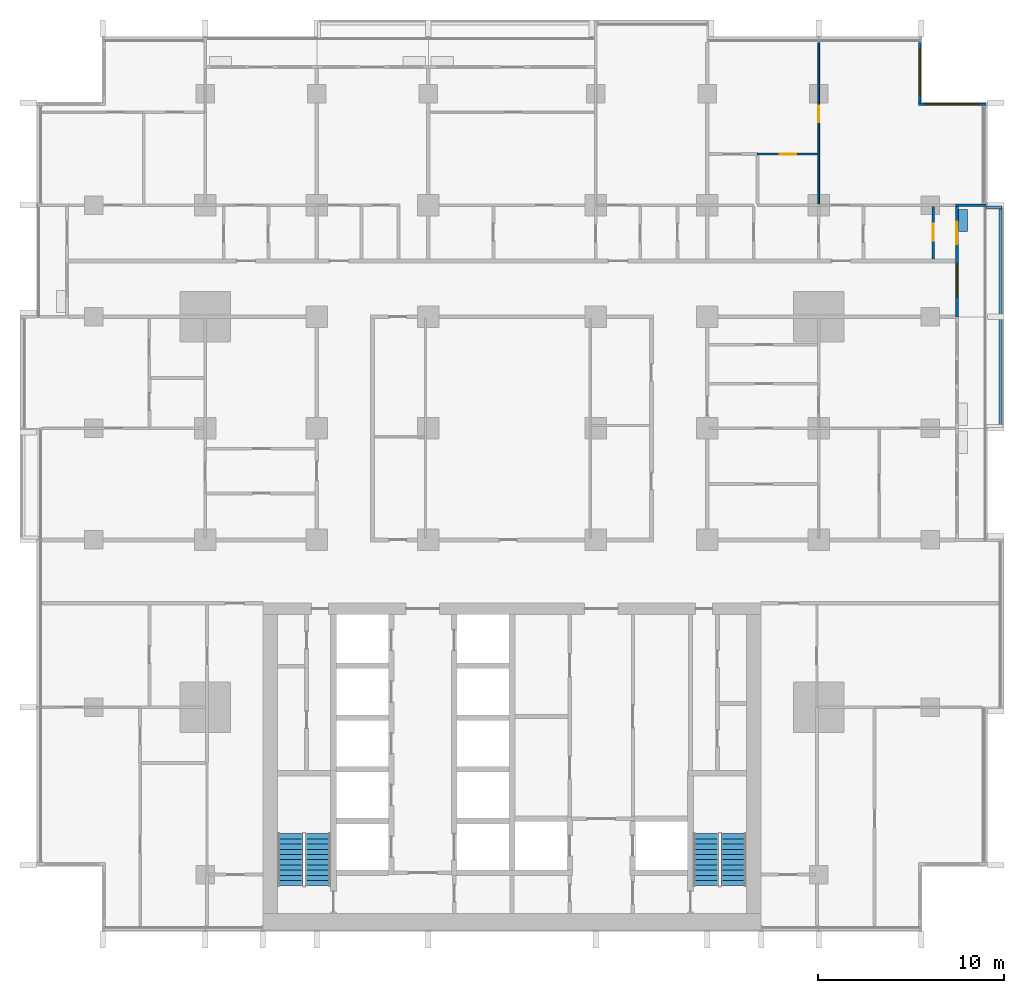
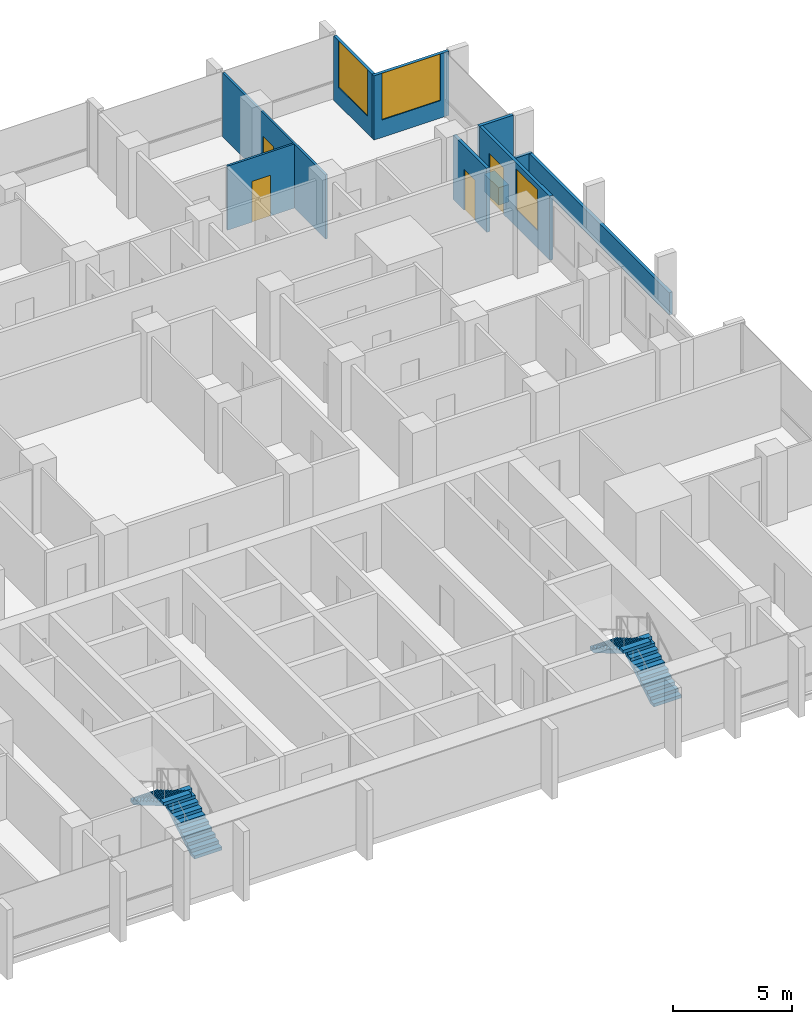
# One storey, part 13 of 18: 10 walls, 4 doors, 4 stair flights, 3 windows, 7 openings, 2 elements without a shape of their own.
"""IFC4 building model written with IfcOpenShell, lengths in metres."""

import ifcopenshell
import ifcopenshell.guid

model = None  # the IFC model being written
_history = None  # IfcOwnerHistory: only IFC2X3 demands one
_inside = {}  # id of a spatial element -> (the spatial element, [elements in it])
_under = {}  # id of a project, library or spatial element -> (it, [spatial elements below it])
_declared = {}  # id of a project -> (the project, [libraries it declares])
_typed = {}  # id of a type object -> (the type object, [elements of that type])
_made_of = {}  # id of a material, layer set ... -> (it, [elements and type objects made of it])


def new_model(schema):
    """Start an empty IFC model of exactly this schema.

    Asked for "IFC4X3", IfcOpenShell would pick the latest addendum, in which some entities
    have other attributes; the version numbers below select the first issue.
    IFC2X3 requires an IfcOwnerHistory on every rooted entity: one is made here for all.
    """
    global model, _history
    if schema == "IFC4X3":
        model = ifcopenshell.file(schema_version=(4, 3, 0, 0))
    else:
        model = ifcopenshell.file(schema=schema)
    _inside.clear()
    _under.clear()
    _declared.clear()
    _typed.clear()
    _made_of.clear()
    _history = None
    if model.schema == "IFC2X3":
        org = make("IfcOrganization", Name="unknown")
        user = make(
            "IfcPersonAndOrganization",
            ThePerson=make("IfcPerson", FamilyName="unknown"),
            TheOrganization=org,
        )
        app = make(
            "IfcApplication",
            ApplicationDeveloper=org,
            Version="unknown",
            ApplicationFullName="unknown",
            ApplicationIdentifier="unknown",
        )
        _history = make(
            "IfcOwnerHistory",
            OwningUser=user,
            OwningApplication=app,
            ChangeAction="ADDED",
            CreationDate=0,
        )
    return model


def make(cls, **values):
    """One entity of the class cls with the attributes given. An attribute that is None is left unset."""
    return model.create_entity(
        cls, **{name: value for name, value in values.items() if value is not None}
    )


def rooted(cls, **values):
    """An entity with a GlobalId (a new one), such as an element, a storey or a relation."""
    return make(cls, GlobalId=ifcopenshell.guid.new(), OwnerHistory=_history, **values)


def si_unit(unit_type, name, prefix=None):
    """IfcSIUnit, for example si_unit("LENGTHUNIT", "METRE", prefix="MILLI")."""
    return make("IfcSIUnit", UnitType=unit_type, Prefix=prefix, Name=name)


def assignment(units):
    """IfcUnitAssignment: the units of a project."""
    return None if units is None else make("IfcUnitAssignment", Units=units)


def point(xyz):
    """IfcCartesianPoint."""
    return None if xyz is None else make("IfcCartesianPoint", Coordinates=xyz)


def direction(xyz):
    """IfcDirection."""
    return None if xyz is None else make("IfcDirection", DirectionRatios=xyz)


def frame(location, z_axis=None, x_axis=None):
    """IfcAxis2Placement3D, a coordinate frame: its origin and axes. An axis left out is left unset."""
    return make(
        "IfcAxis2Placement3D",
        Location=point(location),
        Axis=direction(z_axis),
        RefDirection=direction(x_axis),
    )


def frame_2d(location, x_axis=None):
    """IfcAxis2Placement2D, a coordinate frame in the plane: its origin and x axis."""
    return make(
        "IfcAxis2Placement2D", Location=point(location), RefDirection=direction(x_axis)
    )


def origin():
    """The frame at (0, 0, 0) with its axes left unset."""
    return frame((0.0, 0.0, 0.0))


def place(relative_to, where):
    """IfcLocalPlacement: puts the frame where relative to a parent placement (None: the world)."""
    return make(
        "IfcLocalPlacement", PlacementRelTo=relative_to, RelativePlacement=where
    )


def context(
    kind, dimensions, precision=None, world=None, true_north=None, identifier=None
):
    """IfcGeometricRepresentationContext, for example the 3D "Model" context."""
    return make(
        "IfcGeometricRepresentationContext",
        ContextIdentifier=identifier,
        ContextType=kind,
        CoordinateSpaceDimension=dimensions,
        Precision=precision,
        WorldCoordinateSystem=world,
        TrueNorth=true_north,
    )


def subcontext(parent, identifier, kind, view, scale=None):
    """IfcGeometricRepresentationSubContext, for example "Body" below "Model"."""
    return make(
        "IfcGeometricRepresentationSubContext",
        ContextIdentifier=identifier,
        ContextType=kind,
        ParentContext=parent,
        TargetScale=scale,
        TargetView=view,
    )


def project(units=None, contexts=None):
    """IfcProject with its units and contexts."""
    return rooted(
        "IfcProject",
        Name="project",
        RepresentationContexts=contexts,
        UnitsInContext=assignment(units),
    )


def spatial(cls, under=None, at=None, **own):
    """A site, building, storey or space (cls), placed at a placement, below another one or the project."""
    s = rooted(cls, ObjectPlacement=at, **own)
    if under is not None:
        _under.setdefault(under.id(), (under, []))[1].append(s)
    return s


def polyline(points):
    """IfcPolyline through the points."""
    return make("IfcPolyline", Points=[point(p) for p in points])


def profile(cls, at=None, kind="AREA", **sizes):
    """A parametric profile (cls). Its sizes go by their IFC names, for example OverallWidth=200.0."""
    return make(cls, ProfileType=kind, Position=at, **sizes)


def rectangle(**sizes):
    """IfcRectangleProfileDef."""
    return profile("IfcRectangleProfileDef", **sizes)


def outline(outer, holes=None, kind="AREA"):
    """IfcArbitraryClosedProfileDef: a profile drawn as a closed curve; with holes, ...WithVoids."""
    if holes is None:
        return make("IfcArbitraryClosedProfileDef", ProfileType=kind, OuterCurve=outer)
    return make(
        "IfcArbitraryProfileDefWithVoids",
        ProfileType=kind,
        OuterCurve=outer,
        InnerCurves=holes,
    )


def extrude(swept, where, along, depth):
    """IfcExtrudedAreaSolid: the profile swept, set in the frame where, extruded along a direction by depth."""
    return make(
        "IfcExtrudedAreaSolid",
        SweptArea=swept,
        Position=where,
        ExtrudedDirection=direction(along),
        Depth=depth,
    )


def shape(context_of_items, identifier, shape_type, items):
    """IfcShapeRepresentation: the items that make up one representation, for example the "Body"."""
    return make(
        "IfcShapeRepresentation",
        ContextOfItems=context_of_items,
        RepresentationIdentifier=identifier,
        RepresentationType=shape_type,
        Items=items,
    )


def material(Name=None, Category=None):
    """IfcMaterial."""
    return make("IfcMaterial", Name=Name, Category=Category)


def layer(
    of_material, thickness, ventilated=None, Name=None, Category=None, Priority=None
):
    """IfcMaterialLayer: one layer of a wall or slab, of a material (None: an air gap)."""
    return make(
        "IfcMaterialLayer",
        Material=of_material,
        LayerThickness=thickness,
        IsVentilated=ventilated,
        Name=Name,
        Category=Category,
        Priority=Priority,
    )


def layer_set(layers, Name=None):
    """IfcMaterialLayerSet."""
    return make("IfcMaterialLayerSet", MaterialLayers=layers, LayerSetName=Name)


def made_of(thing, what):
    """Note that an element or type object is made of a material, layer set ...; save() writes the relation."""
    if what is not None:
        _made_of.setdefault(what.id(), (what, []))[1].append(thing)
    return thing


def type_object(cls, material=None, **own):
    """A type object (cls), such as IfcWallType, which elements share."""
    return made_of(rooted(cls, **own), material)


def element(
    cls,
    number,
    at=None,
    inside=None,
    cuts=None,
    type_object=None,
    material=None,
    context=None,
    identifier="Body",
    shape_type=None,
    held_by="IfcProductDefinitionShape",
    body=None,
    shapes=None,
    **own,
):
    """One element of the class cls, such as IfcWall. Its Tag is "e" and its number.

    at: its placement. inside: the storey or other place that contains it. cuts: it is an
    opening in that element (IfcRelVoidsElement). A single representation is given by context,
    identifier, shape_type and body (its items); several are given by shapes. held_by: the class
    of the entity that holds the representations. save() writes the other relations.
    """
    e = rooted(cls, Tag="e%d" % number, ObjectPlacement=at, **own)
    if body is not None:
        shapes = [shape(context, identifier, shape_type, body)]
    if shapes is not None:
        e.Representation = make(held_by, Representations=shapes)
    if inside is not None:
        _inside.setdefault(inside.id(), (inside, []))[1].append(e)
    if cuts is not None:
        rooted(
            "IfcRelVoidsElement", RelatingBuildingElement=cuts, RelatedOpeningElement=e
        )
    if type_object is not None:
        _typed.setdefault(type_object.id(), (type_object, []))[1].append(e)
    return made_of(e, material)


def fill(opening, filler):
    """IfcRelFillsElement: the door or window that sits in an opening."""
    return rooted(
        "IfcRelFillsElement",
        RelatingOpeningElement=opening,
        RelatedBuildingElement=filler,
    )


def aggregate(whole, parts):
    """IfcRelAggregates: a whole, such as a stair, and the parts it consists of."""
    return rooted("IfcRelAggregates", RelatingObject=whole, RelatedObjects=parts)


def save(model, path):
    """Write the relations noted so far, then the file.

    IfcRelAggregates (storeys below a building ...), IfcRelContainedInSpatialStructure (elements
    in a storey), IfcRelDefinesByType, IfcRelAssociatesMaterial and IfcRelDeclares: one each for
    every whole, place, type object, material and project.
    """
    for whole, parts in _under.values():
        aggregate(whole, parts)
    for where, things in _inside.values():
        rooted(
            "IfcRelContainedInSpatialStructure",
            RelatedElements=things,
            RelatingStructure=where,
        )
    for kind, things in _typed.values():
        rooted("IfcRelDefinesByType", RelatedObjects=things, RelatingType=kind)
    for what, things in _made_of.values():
        rooted("IfcRelAssociatesMaterial", RelatedObjects=things, RelatingMaterial=what)
    for by, libraries in _declared.values():
        rooted("IfcRelDeclares", RelatingContext=by, RelatedDefinitions=libraries)
    model.write(path)


model = new_model("IFC4")

# Units and contexts
model_context = context("Model", 3, precision=1e-05, world=origin(), true_north=direction((0.0, 1.0)))
body_context = subcontext(model_context, "Body", "Model", "MODEL_VIEW")
ifc_project = project(units=[si_unit("LENGTHUNIT", "METRE"), si_unit("AREAUNIT", "SQUARE_METRE"), si_unit("VOLUMEUNIT", "CUBIC_METRE"), si_unit("PLANEANGLEUNIT", "RADIAN"), si_unit("MASSUNIT", "GRAM", prefix="KILO")], contexts=[model_context])

# Site, building, storey
site_placement = place(None, origin())
site = spatial("IfcSite", under=ifc_project, at=site_placement, CompositionType="ELEMENT")
building_placement = place(site_placement, origin())
building = spatial("IfcBuilding", under=site, at=building_placement, Name="Finial Court Residences", CompositionType="ELEMENT")
storey_placement = place(building_placement, frame((0.0, 0.0, 109.89990234375)))
storey = spatial("IfcBuildingStorey", under=building, at=storey_placement, Name="L27", CompositionType="ELEMENT", Elevation=109.89990234375)

# Wall, opening, door
ifc_material_1 = material(Name="Gypsum board")
ifc_layer_1 = layer(ifc_material_1, 0.012451171875)
ifc_material_2 = material(Name="Mineral wool in light-gauge frame")
ifc_layer_2 = layer(ifc_material_2, 0.074951171875)
ifc_layer_3 = layer(ifc_material_1, 0.012451171875)
ifc_layer_set_1 = layer_set([ifc_layer_1, ifc_layer_2, ifc_layer_3], Name="Gypsum board partition 100")
wall_type_1 = type_object("IfcWallType", Name="Gypsum board partition 100", PredefinedType="PARTITIONING", material=ifc_layer_set_1)
wall_1_placement = place(storey_placement, frame((13.199951171875, 16.25, 0.0), z_axis=(0.0, 0.0, 1.0), x_axis=(1.0, 0.0, 0.0)))
wall_1 = element("IfcWall", 1, at=wall_1_placement, inside=storey, type_object=wall_type_1, Name="Partition L27-039", PredefinedType="PARTITIONING", context=body_context, shape_type="SweptSolid", body=[
    extrude(rectangle(XDim=3.25, YDim=0.10009765625, at=frame_2d((1.625, 0.0))), origin(), (0.0, 0.0, 1.0), 3.300048828125),
])
opening_1_placement = place(wall_1_placement, frame((1.199951171875, 0.0, 0.0)))
opening_1 = element("IfcOpeningElement", 2, at=opening_1_placement, cuts=wall_1, Name="Opening L27-D029", PredefinedType="OPENING", context=body_context, shape_type="SweptSolid", body=[
    extrude(rectangle(XDim=0.89990234375, YDim=2.10009765625, at=frame_2d((0.449951171875, 1.050048828125))), frame((0.0, 0.06005859375, 0.0), z_axis=(0.0, -1.0, 0.0), x_axis=(1.0, 0.0, 0.0)), (0.0, 0.0, 1.0), 0.1201171875),
])
ifc_material_3 = material(Name="Timber door leaf in timber frame", Category="wood")
door_type_1 = type_object("IfcDoorType", Name="Door set 900 x 2100", OperationType="SINGLE_SWING_LEFT", PredefinedType="DOOR", material=ifc_material_3)
door_1_placement = place(opening_1_placement, origin())
door_1 = element("IfcDoor", 3, at=door_1_placement, inside=storey, type_object=door_type_1, Name="Door L27-D029", OperationType="SINGLE_SWING_RIGHT", OverallHeight=2.10009765625, OverallWidth=0.89990234375, PredefinedType="DOOR", context=body_context, shape_type="SweptSolid", body=[
    extrude(rectangle(XDim=0.89990234375, YDim=2.10009765625, at=frame_2d((0.449951171875, 1.050048828125))), frame((0.0, 0.02490234375, 0.0), z_axis=(0.0, -1.0, 0.0), x_axis=(1.0, 0.0, 0.0)), (0.0, 0.0, 1.0), 0.050048828125),
])
fill(opening_1, door_1)

wall_2_placement = place(storey_placement, frame((16.5, 13.574951171875, 0.0), z_axis=(0.0, 0.0, 1.0), x_axis=(0.0, 1.0, 0.0)))
wall_2 = element("IfcWall", 4, at=wall_2_placement, inside=storey, type_object=wall_type_1, Name="Partition L27-084", PredefinedType="PARTITIONING", context=body_context, shape_type="SweptSolid", body=[
    extrude(rectangle(XDim=8.675048828125, YDim=0.10009765625, at=frame_2d((4.33740234375, 0.0))), origin(), (0.0, 0.0, 1.0), 3.300048828125),
])
opening_2_placement = place(wall_2_placement, frame((4.375, 0.0, 0.0)))
opening_2 = element("IfcOpeningElement", 5, at=opening_2_placement, cuts=wall_2, Name="Opening L27-D054", PredefinedType="OPENING", context=body_context, shape_type="SweptSolid", body=[
    extrude(rectangle(XDim=0.89990234375, YDim=2.10009765625, at=frame_2d((0.449951171875, 1.050048828125))), frame((0.0, 0.06005859375, 0.0), z_axis=(0.0, -1.0, 0.0), x_axis=(1.0, 0.0, 0.0)), (0.0, 0.0, 1.0), 0.1201171875),
])
door_2_placement = place(opening_2_placement, origin())
door_2 = element("IfcDoor", 6, at=door_2_placement, inside=storey, type_object=door_type_1, Name="Door L27-D054", OperationType="SINGLE_SWING_LEFT", OverallHeight=2.10009765625, OverallWidth=0.89990234375, PredefinedType="DOOR", context=body_context, shape_type="SweptSolid", body=[
    extrude(rectangle(XDim=0.89990234375, YDim=2.10009765625, at=frame_2d((0.449951171875, 1.050048828125))), frame((0.0, 0.02490234375, 0.0), z_axis=(0.0, -1.0, 0.0), x_axis=(1.0, 0.0, 0.0)), (0.0, 0.0, 1.0), 0.050048828125),
])
fill(opening_2, door_2)

ifc_material_4 = material(Name="Moisture-resistant gypsum board")
ifc_layer_4 = layer(ifc_material_4, 0.012451171875)
ifc_layer_5 = layer(ifc_material_2, 0.125)
ifc_layer_6 = layer(ifc_material_4, 0.012451171875)
ifc_layer_set_2 = layer_set([ifc_layer_4, ifc_layer_5, ifc_layer_6], Name="Gypsum board wet-area partition 150")
wall_type_2 = type_object("IfcWallType", Name="Gypsum board wet-area partition 150", PredefinedType="PARTITIONING", material=ifc_layer_set_2)
wall_3_placement = place(storey_placement, frame((22.64990234375, 10.60009765625, 0.0), z_axis=(0.0, 0.0, 1.0), x_axis=(0.0, 1.0, 0.0)))
wall_3 = element("IfcWall", 7, at=wall_3_placement, inside=storey, type_object=wall_type_2, Name="Partition L27-091", PredefinedType="PARTITIONING", context=body_context, shape_type="SweptSolid", body=[
    extrude(rectangle(XDim=2.824951171875, YDim=0.14990234375, at=frame_2d((1.41259765625, 0.0))), origin(), (0.0, 0.0, 1.0), 3.300048828125),
])
opening_3_placement = place(wall_3_placement, frame((1.0, 0.0, 0.0)))
opening_3 = element("IfcOpeningElement", 8, at=opening_3_placement, cuts=wall_3, Name="Opening L27-D059", PredefinedType="OPENING", context=body_context, shape_type="SweptSolid", body=[
    extrude(rectangle(XDim=0.89990234375, YDim=2.10009765625, at=frame_2d((0.449951171875, 1.050048828125))), frame((0.0, 0.0849609375, 0.0), z_axis=(0.0, -1.0, 0.0), x_axis=(1.0, 0.0, 0.0)), (0.0, 0.0, 1.0), 0.169921875),
])
door_3_placement = place(opening_3_placement, origin())
door_3 = element("IfcDoor", 9, at=door_3_placement, inside=storey, type_object=door_type_1, Name="Door L27-D059", OperationType="SINGLE_SWING_LEFT", OverallHeight=2.10009765625, OverallWidth=0.89990234375, PredefinedType="DOOR", context=body_context, shape_type="SweptSolid", body=[
    extrude(rectangle(XDim=0.89990234375, YDim=2.10009765625, at=frame_2d((0.449951171875, 1.050048828125))), frame((0.0, 0.02490234375, 0.0), z_axis=(0.0, -1.0, 0.0), x_axis=(1.0, 0.0, 0.0)), (0.0, 0.0, 1.0), 0.050048828125),
])
fill(opening_3, door_3)

# Walls
ifc_material_5 = material(Name="Concrete C35/45", Category="concrete")
ifc_layer_7 = layer(ifc_material_5, 0.14990234375)
ifc_layer_set_3 = layer_set([ifc_layer_7], Name="Ledge parapet, Concrete C35/45 150")
wall_type_3 = type_object("IfcWallType", Name="Ledge parapet, Concrete C35/45 150", PredefinedType="PARAPET", material=ifc_layer_set_3)
wall_4_placement = place(storey_placement, frame((25.510009765625, 13.375, 0.0), z_axis=(0.0, 0.0, 1.0), x_axis=(1.0, 0.0, 0.0)))
element("IfcWall", 10, at=wall_4_placement, inside=storey, type_object=wall_type_3, Name="E-L27-LED2-P2", PredefinedType="PARAPET", context=body_context, shape_type="SweptSolid", body=[
    extrude(rectangle(XDim=0.840087890625, YDim=0.14990234375, at=frame_2d((0.419921875, 0.0))), origin(), (0.0, 0.0, 1.0), 1.150146484375),
])
wall_5_placement = place(storey_placement, frame((26.27490234375, 13.300048828125, 0.0), z_axis=(0.0, 0.0, 1.0), x_axis=(0.0, -1.0, 0.0)))
element("IfcWall", 11, at=wall_5_placement, inside=storey, type_object=wall_type_3, Name="E-L27-LED2-P3", PredefinedType="PARAPET", context=body_context, shape_type="SweptSolid", body=[
    extrude(rectangle(XDim=11.800048828125, YDim=0.14990234375, at=frame_2d((5.89990234375, 0.0))), origin(), (0.0, 0.0, 1.0), 1.150146484375),
])

# Wall, opening, window
ifc_material_6 = material(Name="Natural limestone", Category="masonry")
ifc_layer_8 = layer(ifc_material_6, 0.14990234375)
ifc_layer_set_4 = layer_set([ifc_layer_8], Name="Limestone clad wall 150")
wall_type_4 = type_object("IfcWallType", Name="Limestone clad wall 150", PredefinedType="SOLIDWALL", material=ifc_layer_set_4)
wall_6_placement = place(storey_placement, frame((21.925048828125, 22.25, 0.0), z_axis=(0.0, 0.0, 1.0), x_axis=(0.0, -1.0, 0.0)))
wall_6 = element("IfcWall", 12, at=wall_6_placement, inside=storey, type_object=wall_type_4, Name="E-L27-NWE18", PredefinedType="SOLIDWALL", context=body_context, shape_type="SweptSolid", body=[
    extrude(rectangle(XDim=3.25, YDim=0.14990234375, at=frame_2d((1.625, 0.0))), origin(), (0.0, 0.0, 1.0), 3.300048828125),
])
opening_4_placement = place(wall_6_placement, frame((0.39990234375, 0.0, 0.89990234375)))
opening_4 = element("IfcOpeningElement", 13, at=opening_4_placement, cuts=wall_6, Name="Opening WE27-07", PredefinedType="OPENING", context=body_context, shape_type="SweptSolid", body=[
    extrude(rectangle(XDim=2.449951171875, YDim=2.39990234375, at=frame_2d((1.22509765625, 1.199951171875))), frame((0.0, 0.0849609375, 0.0), z_axis=(0.0, -1.0, 0.0), x_axis=(1.0, 0.0, 0.0)), (0.0, 0.0, 1.0), 0.169921875),
])
ifc_material_7 = material(Name="Clear low-e glass", Category="glass")
window_type_1 = type_object("IfcWindowType", Name="Corner window 2450 x 2400", PartitioningType="SINGLE_PANEL", PredefinedType="WINDOW", material=ifc_material_7)
window_1_placement = place(opening_4_placement, origin())
window_1 = element("IfcWindow", 14, at=window_1_placement, inside=storey, type_object=window_type_1, Name="E-L27-NWE18-W1", OverallHeight=2.39990234375, OverallWidth=2.449951171875, PartitioningType="SINGLE_PANEL", PredefinedType="WINDOW", context=body_context, shape_type="SweptSolid", body=[
    extrude(rectangle(XDim=2.449951171875, YDim=2.39990234375, at=frame_2d((1.22509765625, 1.199951171875))), frame((0.0, 0.030029296875, 0.0), z_axis=(0.0, -1.0, 0.0), x_axis=(1.0, 0.0, 0.0)), (0.0, 0.0, 1.0), 0.06005859375),
])
fill(opening_4, window_1)

wall_7_placement = place(storey_placement, frame((21.85009765625, 18.925048828125, 0.0), z_axis=(0.0, 0.0, 1.0), x_axis=(1.0, 0.0, 0.0)))
wall_7 = element("IfcWall", 15, at=wall_7_placement, inside=storey, type_object=wall_type_4, Name="E-L27-NWN19", PredefinedType="SOLIDWALL", context=body_context, shape_type="SweptSolid", body=[
    extrude(rectangle(XDim=3.64990234375, YDim=0.14990234375, at=frame_2d((1.824951171875, 0.0))), origin(), (0.0, 0.0, 1.0), 3.300048828125),
])
opening_5_placement = place(wall_7_placement, frame((0.39990234375, 0.0, 0.89990234375)))
opening_5 = element("IfcOpeningElement", 16, at=opening_5_placement, cuts=wall_7, Name="Opening WE27-08", PredefinedType="OPENING", context=body_context, shape_type="SweptSolid", body=[
    extrude(rectangle(XDim=2.85009765625, YDim=2.39990234375, at=frame_2d((1.425048828125, 1.199951171875))), frame((0.0, 0.0849609375, 0.0), z_axis=(0.0, -1.0, 0.0), x_axis=(1.0, 0.0, 0.0)), (0.0, 0.0, 1.0), 0.169921875),
])
window_type_2 = type_object("IfcWindowType", Name="Corner window 2850 x 2400", PartitioningType="SINGLE_PANEL", PredefinedType="WINDOW", material=ifc_material_7)
window_2_placement = place(opening_5_placement, origin())
window_2 = element("IfcWindow", 17, at=window_2_placement, inside=storey, type_object=window_type_2, Name="E-L27-NWN19-W1", OverallHeight=2.39990234375, OverallWidth=2.85009765625, PartitioningType="SINGLE_PANEL", PredefinedType="WINDOW", context=body_context, shape_type="SweptSolid", body=[
    extrude(rectangle(XDim=2.85009765625, YDim=2.39990234375, at=frame_2d((1.425048828125, 1.199951171875))), frame((0.0, 0.030029296875, 0.0), z_axis=(0.0, -1.0, 0.0), x_axis=(1.0, 0.0, 0.0)), (0.0, 0.0, 1.0), 0.06005859375),
])
fill(opening_5, window_2)

# Wall
wall_8_placement = place(storey_placement, frame((23.85009765625, 13.5, 0.0), z_axis=(0.0, 0.0, 1.0), x_axis=(1.0, 0.0, 0.0)))
element("IfcWall", 18, at=wall_8_placement, inside=storey, type_object=wall_type_4, Name="E-L27-BALE5-P2", PredefinedType="SOLIDWALL", context=body_context, shape_type="SweptSolid", body=[
    extrude(rectangle(XDim=1.64990234375, YDim=0.14990234375, at=frame_2d((0.824951171875, 0.0))), origin(), (0.0, 0.0, 1.0), 3.300048828125),
])

# Wall, openings, door, window
wall_9_placement = place(storey_placement, frame((23.925048828125, 13.425048828125, 0.0), z_axis=(0.0, 0.0, 1.0), x_axis=(0.0, -1.0, 0.0)))
wall_9 = element("IfcWall", 19, at=wall_9_placement, inside=storey, type_object=wall_type_4, Name="E-L27-L27-BALE5-W", PredefinedType="SOLIDWALL", context=body_context, shape_type="SweptSolid", body=[
    extrude(rectangle(XDim=5.925048828125, YDim=0.14990234375, at=frame_2d((2.96240234375, 0.0))), origin(), (0.0, 0.0, 1.0), 3.300048828125),
])
opening_6_placement = place(wall_9_placement, frame((0.824951171875, 0.0, 0.0)))
opening_6 = element("IfcOpeningElement", 20, at=opening_6_placement, cuts=wall_9, Name="Opening DE27-06", PredefinedType="OPENING", context=body_context, shape_type="SweptSolid", body=[
    extrude(rectangle(XDim=1.199951171875, YDim=2.39990234375, at=frame_2d((0.60009765625, 1.199951171875))), frame((0.0, 0.0849609375, 0.0), z_axis=(0.0, -1.0, 0.0), x_axis=(1.0, 0.0, 0.0)), (0.0, 0.0, 1.0), 0.169921875),
])
opening_7_placement = place(wall_9_placement, frame((3.074951171875, 0.0, 0.89990234375)))
opening_7 = element("IfcOpeningElement", 21, at=opening_7_placement, cuts=wall_9, Name="Opening WE27-19", PredefinedType="OPENING", context=body_context, shape_type="SweptSolid", body=[
    extrude(rectangle(XDim=1.800048828125, YDim=2.10009765625, at=frame_2d((0.89990234375, 1.050048828125))), frame((0.0, 0.0849609375, 0.0), z_axis=(0.0, -1.0, 0.0), x_axis=(1.0, 0.0, 0.0)), (0.0, 0.0, 1.0), 0.169921875),
])
ifc_material_8 = material(Name="Bronze anodised aluminium", Category="aluminium")
door_type_2 = type_object("IfcDoorType", Name="Balcony door 1200 x 2400", OperationType="SINGLE_SWING_LEFT", PredefinedType="DOOR", material=ifc_material_8)
door_4_placement = place(opening_6_placement, origin())
door_4 = element("IfcDoor", 22, at=door_4_placement, inside=storey, type_object=door_type_2, Name="E-L27-L27-BALE5-W-D", OperationType="SINGLE_SWING_RIGHT", OverallHeight=2.39990234375, OverallWidth=1.199951171875, PredefinedType="DOOR", context=body_context, shape_type="SweptSolid", body=[
    extrude(rectangle(XDim=1.199951171875, YDim=2.39990234375, at=frame_2d((0.60009765625, 1.199951171875))), frame((0.0, 0.02490234375, 0.0), z_axis=(0.0, -1.0, 0.0), x_axis=(1.0, 0.0, 0.0)), (0.0, 0.0, 1.0), 0.050048828125),
])
fill(opening_6, door_4)
window_type_3 = type_object("IfcWindowType", Name="Balcony window 1800 x 2100", PartitioningType="SINGLE_PANEL", PredefinedType="WINDOW", material=ifc_material_7)
window_3_placement = place(opening_7_placement, origin())
window_3 = element("IfcWindow", 23, at=window_3_placement, inside=storey, type_object=window_type_3, Name="E-L27-L27-BALE5-W-W1", OverallHeight=2.10009765625, OverallWidth=1.800048828125, PartitioningType="SINGLE_PANEL", PredefinedType="WINDOW", context=body_context, shape_type="SweptSolid", body=[
    extrude(rectangle(XDim=1.800048828125, YDim=2.10009765625, at=frame_2d((0.89990234375, 1.050048828125))), frame((0.0, 0.030029296875, 0.0), z_axis=(0.0, -1.0, 0.0), x_axis=(1.0, 0.0, 0.0)), (0.0, 0.0, 1.0), 0.06005859375),
])
fill(opening_7, window_3)

# Wall
ifc_material_9 = material(Name="Concrete C40/50", Category="concrete")
ifc_layer_9 = layer(ifc_material_9, 0.10009765625)
ifc_material_10 = material(Name="Planting soil", Category="soil")
ifc_layer_10 = layer(ifc_material_10, 0.300048828125)
ifc_layer_11 = layer(ifc_material_9, 0.10009765625)
ifc_layer_set_5 = layer_set([ifc_layer_9, ifc_layer_10, ifc_layer_11], Name="Planter wall, balcony")
wall_type_5 = type_object("IfcWallType", Name="Planter wall, balcony", PredefinedType="USERDEFINED", material=ifc_layer_set_5)
wall_10_placement = place(storey_placement, frame((24.25, 12.074951171875, 0.0), z_axis=(0.0, 0.0, 1.0), x_axis=(0.0, 1.0, 0.0)))
element("IfcWall", 24, at=wall_10_placement, inside=storey, type_object=wall_type_5, Name="E-L27-BALE5-PL", ObjectType="PLANTER", PredefinedType="USERDEFINED", context=body_context, shape_type="SweptSolid", body=[
    extrude(rectangle(XDim=1.199951171875, YDim=0.5, at=frame_2d((0.60009765625, 0.0))), origin(), (0.0, 0.0, 1.0), 0.900146484375),
])

# Stair, stair flights
ifc_material_11 = material(Name="Concrete C50/60", Category="concrete")
stair_type = type_object("IfcStairType", Name="Exit stair 22 risers of 163.6 mm", PredefinedType="HALF_TURN_STAIR", material=ifc_material_11)
stair_1_placement = place(storey_placement, origin())
stair_1 = element("IfcStair", 25, at=stair_1_placement, inside=storey, type_object=stair_type, Name="L27 Exit stair ST-1", PredefinedType="HALF_TURN_STAIR")
stair_flight_type = type_object("IfcStairFlightType", Name="Exit stair flight", PredefinedType="STRAIGHT", material=ifc_material_11)
stair_flight_1_placement = place(storey_placement, frame((-10.425048828125, -23.10009765625, 0.0), z_axis=(0.0, 0.0, 1.0), x_axis=(0.0, 1.0, 0.0)))
stair_flight_1 = element("IfcStairFlight", 26, at=stair_flight_1_placement, type_object=stair_flight_type, Name="ST-1 flight 1", NumberOfRisers=11, NumberOfTreads=10, PredefinedType="STRAIGHT", RiserHeight=0.163636364, TreadLength=0.28, context=body_context, shape_type="SweptSolid", body=[
    extrude(outline(polyline([(0.0, 0.0), (0.0, 0.16357421875), (0.280029296875, 0.16357421875), (0.280029296875, 0.327392578125), (0.56005859375, 0.327392578125), (0.56005859375, 0.490966796875), (0.840087890625, 0.490966796875), (0.840087890625, 0.654541015625), (1.1201171875, 0.654541015625), (1.1201171875, 0.818115234375), (1.39990234375, 0.818115234375), (1.39990234375, 0.98193359375), (1.679931640625, 0.98193359375), (1.679931640625, 1.1455078125), (1.9599609375, 1.1455078125), (1.9599609375, 1.30908203125), (2.239990234375, 1.30908203125), (2.239990234375, 1.47265625), (2.52001953125, 1.47265625), (2.52001953125, 1.636474609375), (2.800048828125, 1.636474609375), (2.800048828125, 1.800048828125), (2.800048828125, 1.462646484375), (0.297119140625, 0.0), (0.0, 0.0)])), frame((0.0, 0.675048828125, 0.0), z_axis=(0.0, -1.0, 0.0), x_axis=(1.0, 0.0, 0.0)), (0.0, 0.0, 1.0), 1.35009765625),
])
stair_flight_2_placement = place(storey_placement, frame((-11.925048828125, -20.300048828125, 1.800048828125), z_axis=(0.0, 0.0, 1.0), x_axis=(0.0, -1.0, 0.0)))
stair_flight_2 = element("IfcStairFlight", 27, at=stair_flight_2_placement, type_object=stair_flight_type, Name="ST-1 flight 2", NumberOfRisers=11, NumberOfTreads=10, PredefinedType="STRAIGHT", RiserHeight=0.163636364, TreadLength=0.28, context=body_context, shape_type="SweptSolid", body=[
    extrude(outline(polyline([(0.0, 0.0), (0.0, 0.16357421875), (0.280029296875, 0.16357421875), (0.280029296875, 0.327392578125), (0.56005859375, 0.327392578125), (0.56005859375, 0.490966796875), (0.840087890625, 0.490966796875), (0.840087890625, 0.654541015625), (1.1201171875, 0.654541015625), (1.1201171875, 0.818115234375), (1.39990234375, 0.818115234375), (1.39990234375, 0.98193359375), (1.679931640625, 0.98193359375), (1.679931640625, 1.1455078125), (1.9599609375, 1.1455078125), (1.9599609375, 1.30908203125), (2.239990234375, 1.30908203125), (2.239990234375, 1.47265625), (2.52001953125, 1.47265625), (2.52001953125, 1.636474609375), (2.800048828125, 1.636474609375), (2.800048828125, 1.800048828125), (2.800048828125, 1.462646484375), (0.297119140625, 0.0), (0.0, 0.0)])), frame((0.0, 0.675048828125, 0.0), z_axis=(0.0, -1.0, 0.0), x_axis=(1.0, 0.0, 0.0)), (0.0, 0.0, 1.0), 1.35009765625),
])
aggregate(stair_1, [stair_flight_1, stair_flight_2])

stair_2_placement = place(storey_placement, origin())
stair_2 = element("IfcStair", 28, at=stair_2_placement, inside=storey, type_object=stair_type, Name="L27 Exit stair ST-2", PredefinedType="HALF_TURN_STAIR")
stair_flight_3_placement = place(storey_placement, frame((11.925048828125, -23.10009765625, 0.0), z_axis=(0.0, 0.0, 1.0), x_axis=(0.0, 1.0, 0.0)))
stair_flight_3 = element("IfcStairFlight", 29, at=stair_flight_3_placement, type_object=stair_flight_type, Name="ST-2 flight 1", NumberOfRisers=11, NumberOfTreads=10, PredefinedType="STRAIGHT", RiserHeight=0.163636364, TreadLength=0.28, context=body_context, shape_type="SweptSolid", body=[
    extrude(outline(polyline([(0.0, 0.0), (0.0, 0.16357421875), (0.280029296875, 0.16357421875), (0.280029296875, 0.327392578125), (0.56005859375, 0.327392578125), (0.56005859375, 0.490966796875), (0.840087890625, 0.490966796875), (0.840087890625, 0.654541015625), (1.1201171875, 0.654541015625), (1.1201171875, 0.818115234375), (1.39990234375, 0.818115234375), (1.39990234375, 0.98193359375), (1.679931640625, 0.98193359375), (1.679931640625, 1.1455078125), (1.9599609375, 1.1455078125), (1.9599609375, 1.30908203125), (2.239990234375, 1.30908203125), (2.239990234375, 1.47265625), (2.52001953125, 1.47265625), (2.52001953125, 1.636474609375), (2.800048828125, 1.636474609375), (2.800048828125, 1.800048828125), (2.800048828125, 1.462646484375), (0.297119140625, 0.0), (0.0, 0.0)])), frame((0.0, 0.675048828125, 0.0), z_axis=(0.0, -1.0, 0.0), x_axis=(1.0, 0.0, 0.0)), (0.0, 0.0, 1.0), 1.35009765625),
])
stair_flight_4_placement = place(storey_placement, frame((10.425048828125, -20.300048828125, 1.800048828125), z_axis=(0.0, 0.0, 1.0), x_axis=(0.0, -1.0, 0.0)))
stair_flight_4 = element("IfcStairFlight", 30, at=stair_flight_4_placement, type_object=stair_flight_type, Name="ST-2 flight 2", NumberOfRisers=11, NumberOfTreads=10, PredefinedType="STRAIGHT", RiserHeight=0.163636364, TreadLength=0.28, context=body_context, shape_type="SweptSolid", body=[
    extrude(outline(polyline([(0.0, 0.0), (0.0, 0.16357421875), (0.280029296875, 0.16357421875), (0.280029296875, 0.327392578125), (0.56005859375, 0.327392578125), (0.56005859375, 0.490966796875), (0.840087890625, 0.490966796875), (0.840087890625, 0.654541015625), (1.1201171875, 0.654541015625), (1.1201171875, 0.818115234375), (1.39990234375, 0.818115234375), (1.39990234375, 0.98193359375), (1.679931640625, 0.98193359375), (1.679931640625, 1.1455078125), (1.9599609375, 1.1455078125), (1.9599609375, 1.30908203125), (2.239990234375, 1.30908203125), (2.239990234375, 1.47265625), (2.52001953125, 1.47265625), (2.52001953125, 1.636474609375), (2.800048828125, 1.636474609375), (2.800048828125, 1.800048828125), (2.800048828125, 1.462646484375), (0.297119140625, 0.0), (0.0, 0.0)])), frame((0.0, 0.675048828125, 0.0), z_axis=(0.0, -1.0, 0.0), x_axis=(1.0, 0.0, 0.0)), (0.0, 0.0, 1.0), 1.35009765625),
])
aggregate(stair_2, [stair_flight_3, stair_flight_4])

save(model, "model.ifc")
